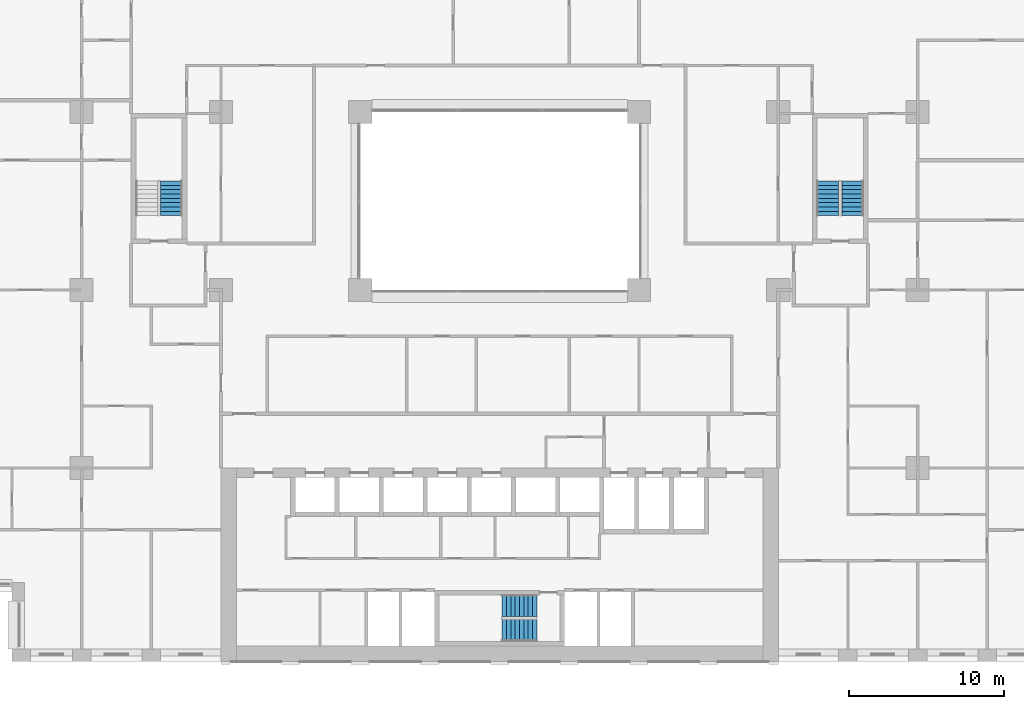
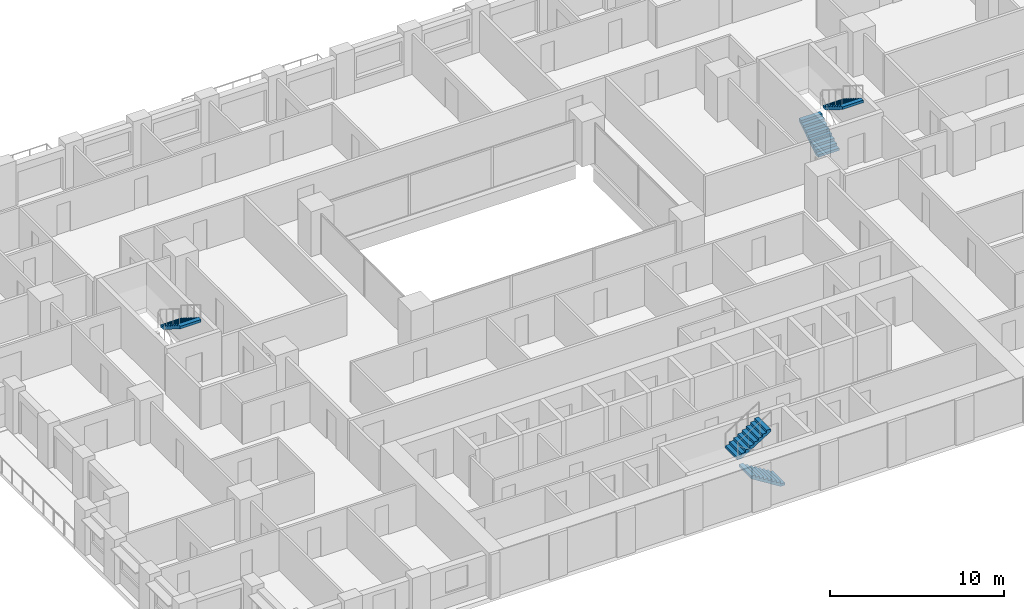
# One storey, part 19 of 21: 5 stair flights, 3 elements without a shape of their own.
"""IFC4 building model written with IfcOpenShell, lengths in metres."""

from ifc_helpers import new_model, si_unit, direction, frame, origin, place, context, subcontext, project, spatial, polyline, outline, extrude, material, type_object, element, aggregate, save


model = new_model("IFC4")

# Units and contexts
model_context = context("Model", 3, precision=1e-05, world=origin(), true_north=direction((0.0, 1.0)))
body_context = subcontext(model_context, "Body", "Model", "MODEL_VIEW")
ifc_project = project(units=[si_unit("LENGTHUNIT", "METRE"), si_unit("AREAUNIT", "SQUARE_METRE"), si_unit("VOLUMEUNIT", "CUBIC_METRE"), si_unit("PLANEANGLEUNIT", "RADIAN"), si_unit("MASSUNIT", "GRAM", prefix="KILO")], contexts=[model_context])

# Site, building, storey
site_placement = place(None, origin())
site = spatial("IfcSite", under=ifc_project, at=site_placement, CompositionType="ELEMENT")
building_placement = place(site_placement, origin())
building = spatial("IfcBuilding", under=site, at=building_placement, Name="Brigalow Station Residences", CompositionType="ELEMENT")
storey_placement = place(building_placement, frame((0.0, 0.0, 51.0)))
storey = spatial("IfcBuildingStorey", under=building, at=storey_placement, Name="L14", CompositionType="ELEMENT", Elevation=51.0)

# Stair, stair flights
ifc_material_1 = material(Name="Concrete C50", Category="concrete")
stair_type = type_object("IfcStairType", Name="EXIT STAIR 1400 2 FLIGHT", PredefinedType="HALF_TURN_STAIR", material=ifc_material_1)
stair_1_placement = place(storey_placement, origin())
stair_1 = element("IfcStair", 1, at=stair_1_placement, inside=storey, type_object=stair_type, Name="EXIT STAIR S2 L14", PredefinedType="HALF_TURN_STAIR")
ifc_material_2 = material(Name="Concrete C50", Category="concrete")
stair_flight_type = type_object("IfcStairFlightType", Name="STAIR FLIGHT 1400", PredefinedType="STRAIGHT", material=ifc_material_2)
stair_flight_1_placement = place(storey_placement, frame((38.39990234375, 2.0, 0.0), z_axis=(0.0, 0.0, 1.0), x_axis=(-1.0, 0.0, 0.0)))
stair_flight_1 = element("IfcStairFlight", 2, at=stair_flight_1_placement, type_object=stair_flight_type, Name="ST-2 flight 1", NumberOfRisers=9, NumberOfTreads=8, PredefinedType="STRAIGHT", RiserHeight=0.175, TreadLength=0.28, context=body_context, shape_type="SweptSolid", body=[
    extrude(outline(polyline([(0.0, 0.0), (0.0, 0.175048828125), (0.280029296875, 0.175048828125), (0.280029296875, 0.35009765625), (0.56005859375, 0.35009765625), (0.56005859375, 0.52490234375), (0.840087890625, 0.52490234375), (0.840087890625, 0.699951171875), (1.1201171875, 0.699951171875), (1.1201171875, 0.875), (1.39990234375, 0.875), (1.39990234375, 1.050048828125), (1.679931640625, 1.050048828125), (1.679931640625, 1.22509765625), (1.9599609375, 1.22509765625), (1.9599609375, 1.39990234375), (2.239990234375, 1.39990234375), (2.239990234375, 1.574951171875), (2.239990234375, 1.22314453125), (0.28271484375, 0.0), (0.0, 0.0)])), frame((0.0, 0.699951171875, 0.0), z_axis=(0.0, -1.0, 0.0), x_axis=(1.0, 0.0, 0.0)), (0.0, 0.0, 1.0), 1.39990234375),
])
stair_flight_2_placement = place(storey_placement, frame((36.159912109375, 3.60009765625, 1.574951171875), z_axis=(0.0, 0.0, 1.0), x_axis=(1.0, 0.0, 0.0)))
stair_flight_2 = element("IfcStairFlight", 3, at=stair_flight_2_placement, type_object=stair_flight_type, Name="ST-2 flight 2", NumberOfRisers=9, NumberOfTreads=8, PredefinedType="STRAIGHT", RiserHeight=0.175, TreadLength=0.28, context=body_context, shape_type="SweptSolid", body=[
    extrude(outline(polyline([(0.0, 0.0), (0.0, 0.175048828125), (0.280029296875, 0.175048828125), (0.280029296875, 0.35009765625), (0.56005859375, 0.35009765625), (0.56005859375, 0.52490234375), (0.840087890625, 0.52490234375), (0.840087890625, 0.699951171875), (1.1201171875, 0.699951171875), (1.1201171875, 0.875), (1.39990234375, 0.875), (1.39990234375, 1.050048828125), (1.679931640625, 1.050048828125), (1.679931640625, 1.22509765625), (1.9599609375, 1.22509765625), (1.9599609375, 1.39990234375), (2.239990234375, 1.39990234375), (2.239990234375, 1.574951171875), (2.239990234375, 1.22314453125), (0.28271484375, 0.0), (0.0, 0.0)])), frame((0.0, 0.699951171875, 0.0), z_axis=(0.0, -1.0, 0.0), x_axis=(1.0, 0.0, 0.0)), (0.0, 0.0, 1.0), 1.39990234375),
])
aggregate(stair_1, [stair_flight_1, stair_flight_2])

# Stair, stair flight
stair_2_placement = place(storey_placement, origin())
stair_2 = element("IfcStair", 4, at=stair_2_placement, inside=storey, type_object=stair_type, Name="EXIT STAIR S1 L14", PredefinedType="HALF_TURN_STAIR")
stair_flight_3_placement = place(storey_placement, frame((14.800048828125, 31.0400390625, 1.574951171875), z_axis=(0.0, 0.0, 1.0), x_axis=(0.0, -1.0, 0.0)))
stair_flight_3 = element("IfcStairFlight", 5, at=stair_flight_3_placement, type_object=stair_flight_type, Name="ST-1 flight 2", NumberOfRisers=9, NumberOfTreads=8, PredefinedType="STRAIGHT", RiserHeight=0.175, TreadLength=0.28, context=body_context, shape_type="SweptSolid", body=[
    extrude(outline(polyline([(0.0, 0.0), (0.0, 0.175048828125), (0.280029296875, 0.175048828125), (0.280029296875, 0.35009765625), (0.56005859375, 0.35009765625), (0.56005859375, 0.52490234375), (0.840087890625, 0.52490234375), (0.840087890625, 0.699951171875), (1.1201171875, 0.699951171875), (1.1201171875, 0.875), (1.39990234375, 0.875), (1.39990234375, 1.050048828125), (1.679931640625, 1.050048828125), (1.679931640625, 1.22509765625), (1.9599609375, 1.22509765625), (1.9599609375, 1.39990234375), (2.239990234375, 1.39990234375), (2.239990234375, 1.574951171875), (2.239990234375, 1.22314453125), (0.28271484375, 0.0), (0.0, 0.0)])), frame((0.0, 0.699951171875, 0.0), z_axis=(0.0, -1.0, 0.0), x_axis=(1.0, 0.0, 0.0)), (0.0, 0.0, 1.0), 1.39990234375),
])
aggregate(stair_2, [stair_flight_3])

# Stair, stair flights
stair_3_placement = place(storey_placement, origin())
stair_3 = element("IfcStair", 6, at=stair_3_placement, inside=storey, type_object=stair_type, Name="EXIT STAIR S3 L14", PredefinedType="HALF_TURN_STAIR")
stair_flight_4_placement = place(storey_placement, frame((57.199951171875, 28.800048828125, 0.0), z_axis=(0.0, 0.0, 1.0), x_axis=(0.0, 1.0, 0.0)))
stair_flight_4 = element("IfcStairFlight", 7, at=stair_flight_4_placement, type_object=stair_flight_type, Name="ST-3 flight 1", NumberOfRisers=9, NumberOfTreads=8, PredefinedType="STRAIGHT", RiserHeight=0.175, TreadLength=0.28, context=body_context, shape_type="SweptSolid", body=[
    extrude(outline(polyline([(0.0, 0.0), (0.0, 0.175048828125), (0.280029296875, 0.175048828125), (0.280029296875, 0.35009765625), (0.56005859375, 0.35009765625), (0.56005859375, 0.52490234375), (0.840087890625, 0.52490234375), (0.840087890625, 0.699951171875), (1.1201171875, 0.699951171875), (1.1201171875, 0.875), (1.39990234375, 0.875), (1.39990234375, 1.050048828125), (1.679931640625, 1.050048828125), (1.679931640625, 1.22509765625), (1.9599609375, 1.22509765625), (1.9599609375, 1.39990234375), (2.239990234375, 1.39990234375), (2.239990234375, 1.574951171875), (2.239990234375, 1.22314453125), (0.28271484375, 0.0), (0.0, 0.0)])), frame((0.0, 0.699951171875, 0.0), z_axis=(0.0, -1.0, 0.0), x_axis=(1.0, 0.0, 0.0)), (0.0, 0.0, 1.0), 1.39990234375),
])
stair_flight_5_placement = place(storey_placement, frame((58.800048828125, 31.0400390625, 1.574951171875), z_axis=(0.0, 0.0, 1.0), x_axis=(0.0, -1.0, 0.0)))
stair_flight_5 = element("IfcStairFlight", 8, at=stair_flight_5_placement, type_object=stair_flight_type, Name="ST-3 flight 2", NumberOfRisers=9, NumberOfTreads=8, PredefinedType="STRAIGHT", RiserHeight=0.175, TreadLength=0.28, context=body_context, shape_type="SweptSolid", body=[
    extrude(outline(polyline([(0.0, 0.0), (0.0, 0.175048828125), (0.280029296875, 0.175048828125), (0.280029296875, 0.35009765625), (0.56005859375, 0.35009765625), (0.56005859375, 0.52490234375), (0.840087890625, 0.52490234375), (0.840087890625, 0.699951171875), (1.1201171875, 0.699951171875), (1.1201171875, 0.875), (1.39990234375, 0.875), (1.39990234375, 1.050048828125), (1.679931640625, 1.050048828125), (1.679931640625, 1.22509765625), (1.9599609375, 1.22509765625), (1.9599609375, 1.39990234375), (2.239990234375, 1.39990234375), (2.239990234375, 1.574951171875), (2.239990234375, 1.22314453125), (0.28271484375, 0.0), (0.0, 0.0)])), frame((0.0, 0.699951171875, 0.0), z_axis=(0.0, -1.0, 0.0), x_axis=(1.0, 0.0, 0.0)), (0.0, 0.0, 1.0), 1.39990234375),
])
aggregate(stair_3, [stair_flight_4, stair_flight_5])

save(model, "model.ifc")
